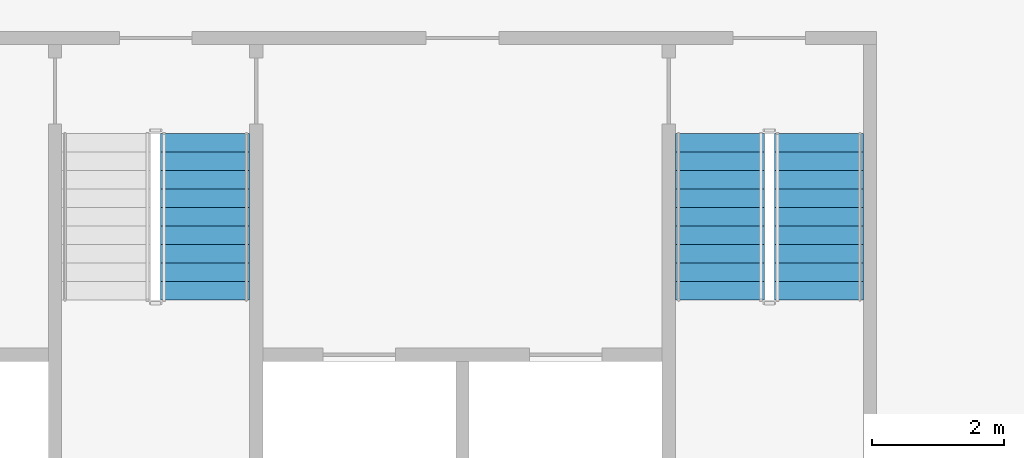
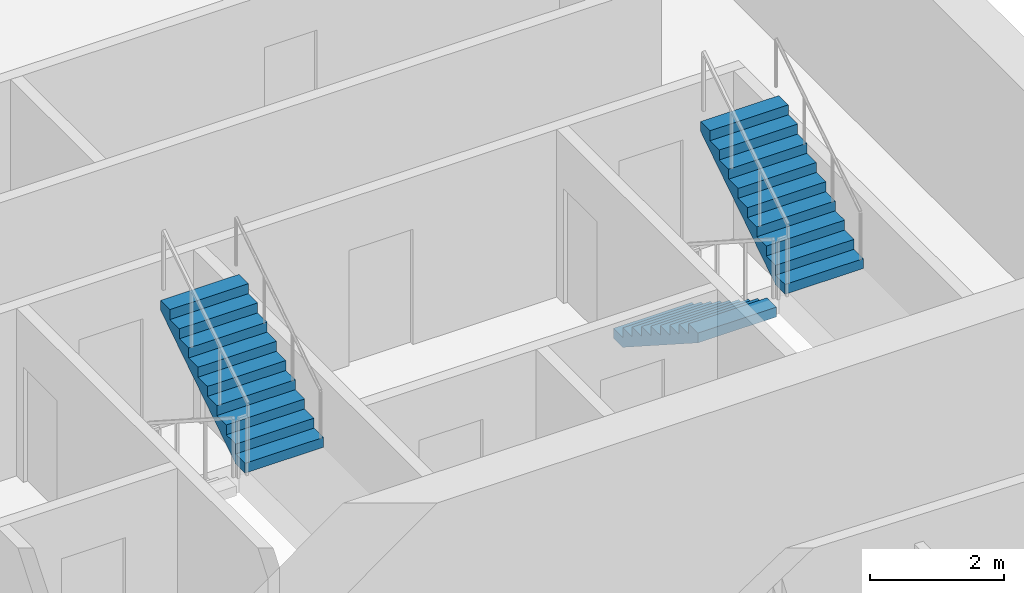
# One storey, part 13 of 17: 3 stair flights, 2 elements without a shape of their own.
"""IFC4 building model written with IfcOpenShell, lengths in metres."""

from ifc_helpers import new_model, si_unit, direction, frame, origin, place, context, subcontext, project, spatial, polyline, outline, extrude, material, type_object, element, aggregate, save


model = new_model("IFC4")

# Units and contexts
model_context = context("Model", 3, precision=1e-05, world=origin(), true_north=direction((0.0, 1.0)))
body_context = subcontext(model_context, "Body", "Model", "MODEL_VIEW")
ifc_project = project(units=[si_unit("LENGTHUNIT", "METRE"), si_unit("AREAUNIT", "SQUARE_METRE"), si_unit("VOLUMEUNIT", "CUBIC_METRE"), si_unit("PLANEANGLEUNIT", "RADIAN"), si_unit("MASSUNIT", "GRAM", prefix="KILO")], contexts=[model_context])

# Site, building, storey
site_placement = place(None, origin())
site = spatial("IfcSite", under=ifc_project, at=site_placement, CompositionType="ELEMENT")
building_placement = place(site_placement, origin())
building = spatial("IfcBuilding", under=site, at=building_placement, Name="Mangrove Gate Tower", CompositionType="ELEMENT")
storey_placement = place(building_placement, frame((0.0, 0.0, 260.89990234375)))
storey = spatial("IfcBuildingStorey", under=building, at=storey_placement, Name="L66", CompositionType="ELEMENT", Elevation=260.89990234375)

# Stair, stair flight
ifc_material_1 = material(Name="Concrete C40/50", Category="concrete")
stair_type = type_object("IfcStairType", Name="Core stair 1350", PredefinedType="HALF_TURN_STAIR", material=ifc_material_1)
stair_1_placement = place(storey_placement, origin())
stair_1 = element("IfcStair", 1, at=stair_1_placement, inside=storey, type_object=stair_type, Name="L66 Stair 2", PredefinedType="HALF_TURN_STAIR")
ifc_material_2 = material(Name="Concrete C40/50", Category="concrete")
stair_flight_type = type_object("IfcStairFlightType", Name="Core stair flight 1350", PredefinedType="STRAIGHT", material=ifc_material_2)
stair_flight_1_placement = place(storey_placement, frame((0.72509765625, -7.169921875, 1.800048828125), z_axis=(0.0, 0.0, 1.0), x_axis=(0.0, 1.0, 0.0)))
stair_flight_1 = element("IfcStairFlight", 2, at=stair_flight_1_placement, type_object=stair_flight_type, Name="ST2 flight 2", NumberOfRisers=10, NumberOfTreads=9, PredefinedType="STRAIGHT", RiserHeight=0.18, TreadLength=0.28, context=body_context, shape_type="SweptSolid", body=[
    extrude(outline(polyline([(0.0, 0.0), (0.0, 0.179931640625), (0.280029296875, 0.179931640625), (0.280029296875, 0.360107421875), (0.56005859375, 0.360107421875), (0.56005859375, 0.5400390625), (0.840087890625, 0.5400390625), (0.840087890625, 0.719970703125), (1.1201171875, 0.719970703125), (1.1201171875, 0.89990234375), (1.39990234375, 0.89990234375), (1.39990234375, 1.080078125), (1.679931640625, 1.080078125), (1.679931640625, 1.260009765625), (1.9599609375, 1.260009765625), (1.9599609375, 1.43994140625), (2.239990234375, 1.43994140625), (2.239990234375, 1.6201171875), (2.52001953125, 1.6201171875), (2.52001953125, 1.800048828125), (2.52001953125, 1.44189453125), (0.277099609375, 0.0), (0.0, 0.0)])), frame((0.0, 0.675048828125, 0.0), z_axis=(0.0, -1.0, 0.0), x_axis=(1.0, 0.0, 0.0)), (0.0, 0.0, 1.0), 1.35009765625),
])
aggregate(stair_1, [stair_flight_1])

# Stair, stair flights
stair_2_placement = place(storey_placement, origin())
stair_2 = element("IfcStair", 3, at=stair_2_placement, inside=storey, type_object=stair_type, Name="L66 Stair 3", PredefinedType="HALF_TURN_STAIR")
stair_flight_2_placement = place(storey_placement, frame((8.52490234375, -4.64990234375, 0.0), z_axis=(0.0, 0.0, 1.0), x_axis=(0.0, -1.0, 0.0)))
stair_flight_2 = element("IfcStairFlight", 4, at=stair_flight_2_placement, type_object=stair_flight_type, Name="ST3 flight 1", NumberOfRisers=10, NumberOfTreads=9, PredefinedType="STRAIGHT", RiserHeight=0.18, TreadLength=0.28, context=body_context, shape_type="SweptSolid", body=[
    extrude(outline(polyline([(0.0, 0.0), (0.0, 0.179931640625), (0.280029296875, 0.179931640625), (0.280029296875, 0.360107421875), (0.56005859375, 0.360107421875), (0.56005859375, 0.5400390625), (0.840087890625, 0.5400390625), (0.840087890625, 0.719970703125), (1.1201171875, 0.719970703125), (1.1201171875, 0.89990234375), (1.39990234375, 0.89990234375), (1.39990234375, 1.080078125), (1.679931640625, 1.080078125), (1.679931640625, 1.260009765625), (1.9599609375, 1.260009765625), (1.9599609375, 1.43994140625), (2.239990234375, 1.43994140625), (2.239990234375, 1.6201171875), (2.52001953125, 1.6201171875), (2.52001953125, 1.800048828125), (2.52001953125, 1.44189453125), (0.277099609375, 0.0), (0.0, 0.0)])), frame((0.0, 0.675048828125, 0.0), z_axis=(0.0, -1.0, 0.0), x_axis=(1.0, 0.0, 0.0)), (0.0, 0.0, 1.0), 1.35009765625),
])
stair_flight_3_placement = place(storey_placement, frame((10.02490234375, -7.169921875, 1.800048828125), z_axis=(0.0, 0.0, 1.0), x_axis=(0.0, 1.0, 0.0)))
stair_flight_3 = element("IfcStairFlight", 5, at=stair_flight_3_placement, type_object=stair_flight_type, Name="ST3 flight 2", NumberOfRisers=10, NumberOfTreads=9, PredefinedType="STRAIGHT", RiserHeight=0.18, TreadLength=0.28, context=body_context, shape_type="SweptSolid", body=[
    extrude(outline(polyline([(0.0, 0.0), (0.0, 0.179931640625), (0.280029296875, 0.179931640625), (0.280029296875, 0.360107421875), (0.56005859375, 0.360107421875), (0.56005859375, 0.5400390625), (0.840087890625, 0.5400390625), (0.840087890625, 0.719970703125), (1.1201171875, 0.719970703125), (1.1201171875, 0.89990234375), (1.39990234375, 0.89990234375), (1.39990234375, 1.080078125), (1.679931640625, 1.080078125), (1.679931640625, 1.260009765625), (1.9599609375, 1.260009765625), (1.9599609375, 1.43994140625), (2.239990234375, 1.43994140625), (2.239990234375, 1.6201171875), (2.52001953125, 1.6201171875), (2.52001953125, 1.800048828125), (2.52001953125, 1.44189453125), (0.277099609375, 0.0), (0.0, 0.0)])), frame((0.0, 0.675048828125, 0.0), z_axis=(0.0, -1.0, 0.0), x_axis=(1.0, 0.0, 0.0)), (0.0, 0.0, 1.0), 1.35009765625),
])
aggregate(stair_2, [stair_flight_2, stair_flight_3])

save(model, "model.ifc")
